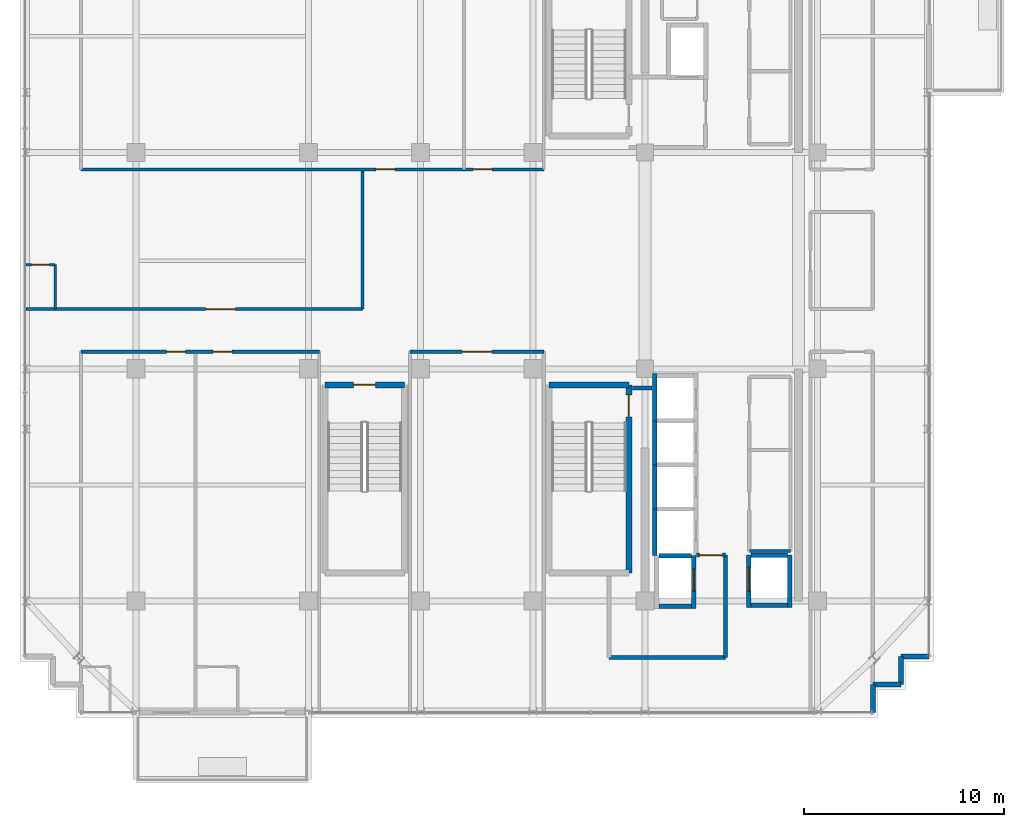
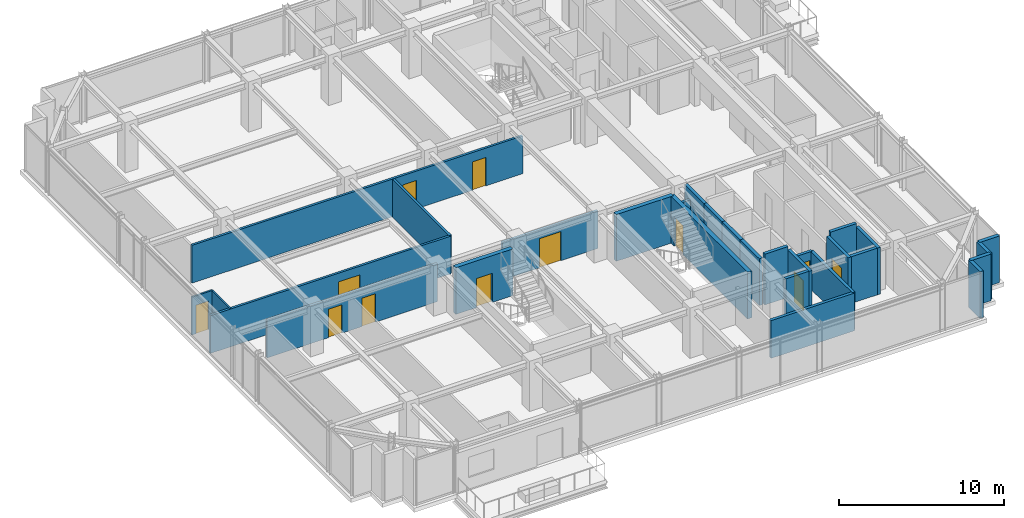
# One storey, part 27 of 33: 30 walls, 12 doors, 12 openings.
"""IFC4 building model written with IfcOpenShell, lengths in metres."""

from ifc_helpers import new_model, si_unit, direction, frame, frame_2d, origin, place, context, subcontext, project, spatial, rectangle, extrude, source, transform, mapped, material, layer, layer_set, type_object, element, fill, save


model = new_model("IFC4")

# Units and contexts
model_context = context("Model", 3, precision=1e-05, world=origin(), true_north=direction((0.0, 1.0)))
body_context = subcontext(model_context, "Body", "Model", "MODEL_VIEW")
ifc_project = project(units=[si_unit("LENGTHUNIT", "METRE"), si_unit("AREAUNIT", "SQUARE_METRE"), si_unit("VOLUMEUNIT", "CUBIC_METRE"), si_unit("PLANEANGLEUNIT", "RADIAN"), si_unit("MASSUNIT", "GRAM", prefix="KILO")], contexts=[model_context])

# Site, building, storey
site_placement = place(None, origin())
site = spatial("IfcSite", under=ifc_project, at=site_placement, CompositionType="ELEMENT")
building_placement = place(site_placement, origin())
building = spatial("IfcBuilding", under=site, at=building_placement, Name="Nahalor Promenade Grand Hotel", CompositionType="ELEMENT")
storey_placement = place(building_placement, frame((0.0, 0.0, 270.050048828125)))
storey = spatial("IfcBuildingStorey", under=building, at=storey_placement, Name="L69", CompositionType="ELEMENT", Elevation=270.050048828125)

# Wall
ifc_material_1 = material(Name="Concrete B-50 (C40/50)", Category="concrete")
ifc_layer_1 = layer(ifc_material_1, 0.300048828125)
ifc_layer_set_1 = layer_set([ifc_layer_1], Name="Concrete B-50 (C40/50)")
wall_type_1 = type_object("IfcWallType", Name="Wall-ShaftShear-300", PredefinedType="SHEAR", material=ifc_layer_set_1)
shared_shape_1 = source(origin(), body_context, "Body", "SweptSolid", [
    extrude(rectangle(XDim=3.97998046875, YDim=0.300048828125, at=frame_2d((1.989990234375, 0.0))), origin(), (0.0, 0.0, 1.0), 3.449951171875),
])
wall_1_placement = place(storey_placement, frame((3.610107421875, -6.2099609375, 0.0), z_axis=(0.0, 0.0, 1.0), x_axis=(1.0, 0.0, 0.0)))
element("IfcWall", 1, at=wall_1_placement, inside=storey, type_object=wall_type_1, Name="L69 Exit Stair ST2 Shaft Wall N", PredefinedType="SHEAR", context=body_context, shape_type="MappedRepresentation", body=[
    mapped(shared_shape_1, transform((0.0, 0.0, 0.0), scale=1.0)),
])

# Wall, opening, door
wall_2_placement = place(storey_placement, frame((-7.590087890625, -6.2099609375, 0.0), z_axis=(0.0, 0.0, 1.0), x_axis=(1.0, 0.0, 0.0)))
wall_2 = element("IfcWall", 2, at=wall_2_placement, inside=storey, type_object=wall_type_1, Name="L69 Exit Stair ST3 Shaft Wall N", PredefinedType="SHEAR", context=body_context, shape_type="MappedRepresentation", body=[
    mapped(shared_shape_1, transform((0.0, 0.0, 0.0), scale=1.0)),
])
opening_1_placement = place(wall_2_placement, frame((1.43994140625, 0.0, 0.0)))
opening_1 = element("IfcOpeningElement", 3, at=opening_1_placement, cuts=wall_2, Name="Opening D-ST1", PredefinedType="OPENING", context=body_context, shape_type="SweptSolid", body=[
    extrude(rectangle(XDim=1.10009765625, YDim=2.14990234375, at=frame_2d((0.550048828125, 1.074951171875))), frame((0.0, 0.159912109375, 0.0), z_axis=(0.0, -1.0, 0.0), x_axis=(1.0, 0.0, 0.0)), (0.0, 0.0, 1.0), 0.320068359375),
])
ifc_material_2 = material(Name="Steel S355JR", Category="steel")
door_type_1 = type_object("IfcDoorType", Name="Door-StairFire-1100", OperationType="NOTDEFINED", PredefinedType="DOOR", material=ifc_material_2)
shared_shape_2 = source(origin(), body_context, "Body", "SweptSolid", [
    extrude(rectangle(XDim=1.10009765625, YDim=2.14990234375, at=frame_2d((0.550048828125, 1.074951171875))), frame((0.0, 0.02490234375, 0.0), z_axis=(0.0, -1.0, 0.0), x_axis=(1.0, 0.0, 0.0)), (0.0, 0.0, 1.0), 0.050048828125),
])
door_1_placement = place(opening_1_placement, frame((1.10009765625, 0.0, 0.0), z_axis=(0.0, 0.0, 1.0), x_axis=(-1.0, 0.0, 0.0)))
door_1 = element("IfcDoor", 4, at=door_1_placement, inside=storey, type_object=door_type_1, Name="DR-STAIR-ST3-L69", OperationType="SINGLE_SWING_RIGHT", OverallHeight=2.14990234375, OverallWidth=1.10009765625, PredefinedType="DOOR", context=body_context, shape_type="MappedRepresentation", body=[
    mapped(shared_shape_2, transform((0.0, 0.0, 0.0), scale=1.0)),
])
fill(opening_1, door_1)

shared_shape_3 = source(origin(), body_context, "Body", "SweptSolid", [
    extrude(rectangle(XDim=9.380126953125, YDim=0.300048828125, at=frame_2d((4.68994140625, 0.0))), origin(), (0.0, 0.0, 1.0), 3.449951171875),
])
wall_3_placement = place(storey_placement, frame((7.590087890625, -15.590087890625, 0.0), z_axis=(0.0, 0.0, 1.0), x_axis=(0.0, 1.0, 0.0)))
wall_3 = element("IfcWall", 5, at=wall_3_placement, inside=storey, type_object=wall_type_1, Name="L69 Exit Stair ST2 Shaft Wall E", PredefinedType="SHEAR", context=body_context, shape_type="MappedRepresentation", body=[
    mapped(shared_shape_3, transform((0.0, 0.0, 0.0), scale=1.0)),
])
opening_2_placement = place(wall_3_placement, frame((7.7900390625, 0.0, 0.0)))
opening_2 = element("IfcOpeningElement", 6, at=opening_2_placement, cuts=wall_3, Name="Opening D-ST1", PredefinedType="OPENING", context=body_context, shape_type="SweptSolid", body=[
    extrude(rectangle(XDim=1.10009765625, YDim=2.14990234375, at=frame_2d((0.550048828125, 1.074951171875))), frame((0.0, 0.159912109375, 0.0), z_axis=(0.0, -1.0, 0.0), x_axis=(1.0, 0.0, 0.0)), (0.0, 0.0, 1.0), 0.320068359375),
])
door_2_placement = place(opening_2_placement, origin())
door_2 = element("IfcDoor", 7, at=door_2_placement, inside=storey, type_object=door_type_1, Name="DR-STAIR-ST2-L69", OperationType="SINGLE_SWING_RIGHT", OverallHeight=2.14990234375, OverallWidth=1.10009765625, PredefinedType="DOOR", context=body_context, shape_type="MappedRepresentation", body=[
    mapped(shared_shape_2, transform((0.0, 0.0, 0.0), scale=1.0)),
])
fill(opening_2, door_2)

# Walls
ifc_layer_2 = layer(ifc_material_1, 0.219970703125)
ifc_layer_set_2 = layer_set([ifc_layer_2], Name="Concrete B-50 (C40/50)")
wall_type_2 = type_object("IfcWallType", Name="Wall-LiftShaft-220", PredefinedType="SHEAR", material=ifc_layer_set_2)
shared_shape_4 = source(origin(), body_context, "Body", "SweptSolid", [
    extrude(rectangle(XDim=2.360107421875, YDim=0.219970703125, at=frame_2d((1.18017578125, 0.0))), origin(), (0.0, 0.0, 1.0), 3.449951171875),
])
wall_4_placement = place(storey_placement, frame((8.8798828125, -8.0, 0.0), z_axis=(0.0, 0.0, 1.0), x_axis=(0.0, 1.0, 0.0)))
element("IfcWall", 8, at=wall_4_placement, inside=storey, type_object=wall_type_2, Name="L69 Lift PL9 Hoistway Wall W", PredefinedType="SHEAR", context=body_context, shape_type="MappedRepresentation", body=[
    mapped(shared_shape_4, transform((0.0, 0.0, 0.0), scale=1.0)),
])
shared_shape_5 = source(origin(), body_context, "Body", "SweptSolid", [
    extrude(rectangle(XDim=1.820068359375, YDim=0.219970703125, at=frame_2d((0.91015625, 0.0))), origin(), (0.0, 0.0, 1.0), 3.449951171875),
])
wall_5_placement = place(storey_placement, frame((13.68994140625, -17.199951171875, 0.0), z_axis=(0.0, 0.0, 1.0), x_axis=(1.0, 0.0, 0.0)))
element("IfcWall", 9, at=wall_5_placement, inside=storey, type_object=wall_type_2, Name="L69 Lift SV2 Hoistway Wall S", PredefinedType="SHEAR", context=body_context, shape_type="MappedRepresentation", body=[
    mapped(shared_shape_5, transform((0.0, 0.0, 0.0), scale=1.0)),
])
shared_shape_6 = source(origin(), body_context, "Body", "SweptSolid", [
    extrude(rectangle(XDim=2.199951171875, YDim=0.219970703125, at=frame_2d((1.10009765625, 0.0))), origin(), (0.0, 0.0, 1.0), 3.449951171875),
])
for number, where, z_axis, x_axis, name in (
    (10, (8.8798828125, -10.199951171875, 0.0), (0.0, 0.0, 1.0), (0.0, 1.0, 0.0), "L69 Lift PL10 Hoistway Wall W"),
    (11, (8.8798828125, -12.39990234375, 0.0), (0.0, 0.0, 1.0), (0.0, 1.0, 0.0), "L69 Lift PL11 Hoistway Wall W"),
):
    element("IfcWall", number, at=place(storey_placement, frame(where, z_axis=z_axis, x_axis=x_axis)), inside=storey, type_object=wall_type_2, Name=name, PredefinedType="SHEAR", context=body_context, shape_type="MappedRepresentation", body=[
        mapped(shared_shape_6, transform((0.0, 0.0, 0.0), scale=1.0)),
    ])
shared_shape_7 = source(origin(), body_context, "Body", "SweptSolid", [
    extrude(rectangle(XDim=1.820068359375, YDim=0.219970703125, at=frame_2d((0.91015625, 0.0))), origin(), (0.0, 0.0, 1.0), 3.75),
])
wall_6_placement = place(storey_placement, frame((13.68994140625, -14.699951171875, 0.0), z_axis=(0.0, 0.0, 1.0), x_axis=(1.0, 0.0, 0.0)))
element("IfcWall", 12, at=wall_6_placement, inside=storey, type_object=wall_type_2, Name="L69 Lift SV2 Hoistway Wall N", PredefinedType="SHEAR", context=body_context, shape_type="MappedRepresentation", body=[
    mapped(shared_shape_7, transform((0.0, 0.0, 0.0), scale=1.0)),
])
shared_shape_8 = source(origin(), body_context, "Body", "SweptSolid", [
    extrude(rectangle(XDim=2.3251953125, YDim=0.219970703125, at=frame_2d((1.16259765625, 0.0))), origin(), (0.0, 0.0, 1.0), 3.449951171875),
])
wall_7_placement = place(storey_placement, frame((8.8798828125, -14.72509765625, 0.0), z_axis=(0.0, 0.0, 1.0), x_axis=(0.0, 1.0, 0.0)))
element("IfcWall", 13, at=wall_7_placement, inside=storey, type_object=wall_type_2, Name="L69 Lift PL12 Hoistway Wall W", PredefinedType="SHEAR", context=body_context, shape_type="MappedRepresentation", body=[
    mapped(shared_shape_8, transform((0.0, 0.0, 0.0), scale=1.0)),
])

# Wall, opening, door
shared_shape_9 = source(origin(), body_context, "Body", "SweptSolid", [
    extrude(rectangle(XDim=2.635009765625, YDim=0.219970703125, at=frame_2d((1.3173828125, 0.0))), origin(), (0.0, 0.0, 1.0), 3.449951171875),
])
wall_8_placement = place(storey_placement, frame((10.820068359375, -17.360107421875, 0.0), z_axis=(0.0, 0.0, 1.0), x_axis=(0.0, 1.0, 0.0)))
wall_8 = element("IfcWall", 14, at=wall_8_placement, inside=storey, type_object=wall_type_2, Name="L69 Lift FL2 Hoistway Wall E", PredefinedType="SHEAR", context=body_context, shape_type="MappedRepresentation", body=[
    mapped(shared_shape_9, transform((0.0, 0.0, 0.0), scale=1.0)),
])
opening_3_placement = place(wall_8_placement, frame((0.860107421875, 0.0, 0.0)))
opening_3 = element("IfcOpeningElement", 15, at=opening_3_placement, cuts=wall_8, Name="Opening LD-02", PredefinedType="OPENING", context=body_context, shape_type="SweptSolid", body=[
    extrude(rectangle(XDim=1.10009765625, YDim=2.199951171875, at=frame_2d((0.550048828125, 1.10009765625))), frame((0.0, 0.119873046875, 0.0), z_axis=(0.0, -1.0, 0.0), x_axis=(1.0, 0.0, 0.0)), (0.0, 0.0, 1.0), 0.239990234375),
])
door_type_2 = type_object("IfcDoorType", Name="Door-LiftFF-1100", OperationType="DOUBLE_DOOR_SLIDING", PredefinedType="DOOR", material=ifc_material_2)
shared_shape_10 = source(origin(), body_context, "Body", "SweptSolid", [
    extrude(rectangle(XDim=1.10009765625, YDim=2.199951171875, at=frame_2d((0.550048828125, 1.10009765625))), frame((0.0, 0.02490234375, 0.0), z_axis=(0.0, -1.0, 0.0), x_axis=(1.0, 0.0, 0.0)), (0.0, 0.0, 1.0), 0.050048828125),
])
door_3_placement = place(opening_3_placement, frame((1.10009765625, 0.0, 0.0), z_axis=(0.0, 0.0, 1.0), x_axis=(-1.0, 0.0, 0.0)))
door_3 = element("IfcDoor", 16, at=door_3_placement, inside=storey, type_object=door_type_2, Name="DR-LIFT-FL2-L69", OperationType="DOUBLE_DOOR_SLIDING", OverallHeight=2.199951171875, OverallWidth=1.10009765625, PredefinedType="DOOR", context=body_context, shape_type="MappedRepresentation", body=[
    mapped(shared_shape_10, transform((0.0, 0.0, 0.0), scale=1.0)),
])
fill(opening_3, door_3)

# Walls
shared_shape_11 = source(origin(), body_context, "Body", "SweptSolid", [
    extrude(rectangle(XDim=1.619873046875, YDim=0.219970703125, at=frame_2d((0.81005859375, 0.0))), origin(), (0.0, 0.0, 1.0), 3.449951171875),
])
wall_9_placement = place(storey_placement, frame((9.090087890625, -17.25, 0.0), z_axis=(0.0, 0.0, 1.0), x_axis=(1.0, 0.0, 0.0)))
element("IfcWall", 17, at=wall_9_placement, inside=storey, type_object=wall_type_2, Name="L69 Lift FL2 Hoistway Wall S", PredefinedType="SHEAR", context=body_context, shape_type="MappedRepresentation", body=[
    mapped(shared_shape_11, transform((0.0, 0.0, 0.0), scale=1.0)),
])
shared_shape_12 = source(origin(), body_context, "Body", "SweptSolid", [
    extrude(rectangle(XDim=1.619873046875, YDim=0.219970703125, at=frame_2d((0.81005859375, 0.0))), origin(), (0.0, 0.0, 1.0), 3.75),
])
wall_10_placement = place(storey_placement, frame((9.090087890625, -14.72509765625, 0.0), z_axis=(0.0, 0.0, 1.0), x_axis=(1.0, 0.0, 0.0)))
element("IfcWall", 18, at=wall_10_placement, inside=storey, type_object=wall_type_2, Name="L69 Lift FL2 Hoistway Wall N", PredefinedType="SHEAR", context=body_context, shape_type="MappedRepresentation", body=[
    mapped(shared_shape_12, transform((0.0, 0.0, 0.0), scale=1.0)),
])

# Wall, opening, door
shared_shape_13 = source(origin(), body_context, "Body", "SweptSolid", [
    extrude(rectangle(XDim=2.610107421875, YDim=0.219970703125, at=frame_2d((1.30517578125, 0.0))), origin(), (0.0, 0.0, 1.0), 3.449951171875),
])
wall_11_placement = place(storey_placement, frame((13.580078125, -17.31005859375, 0.0), z_axis=(0.0, 0.0, 1.0), x_axis=(0.0, 1.0, 0.0)))
wall_11 = element("IfcWall", 19, at=wall_11_placement, inside=storey, type_object=wall_type_2, Name="L69 Lift SV2 Hoistway Wall W", PredefinedType="SHEAR", context=body_context, shape_type="MappedRepresentation", body=[
    mapped(shared_shape_13, transform((0.0, 0.0, 0.0), scale=1.0)),
])
opening_4_placement = place(wall_11_placement, frame((0.81005859375, 0.0, 0.0)))
opening_4 = element("IfcOpeningElement", 20, at=opening_4_placement, cuts=wall_11, Name="Opening LD-03", PredefinedType="OPENING", context=body_context, shape_type="SweptSolid", body=[
    extrude(rectangle(XDim=1.199951171875, YDim=2.199951171875, at=frame_2d((0.60009765625, 1.10009765625))), frame((0.0, 0.119873046875, 0.0), z_axis=(0.0, -1.0, 0.0), x_axis=(1.0, 0.0, 0.0)), (0.0, 0.0, 1.0), 0.239990234375),
])
door_type_3 = type_object("IfcDoorType", Name="Door-LiftService-1200", OperationType="DOUBLE_DOOR_SLIDING", PredefinedType="DOOR", material=ifc_material_2)
shared_shape_14 = source(origin(), body_context, "Body", "SweptSolid", [
    extrude(rectangle(XDim=1.199951171875, YDim=2.199951171875, at=frame_2d((0.60009765625, 1.10009765625))), frame((0.0, 0.02490234375, 0.0), z_axis=(0.0, -1.0, 0.0), x_axis=(1.0, 0.0, 0.0)), (0.0, 0.0, 1.0), 0.050048828125),
])
door_4_placement = place(opening_4_placement, origin())
door_4 = element("IfcDoor", 21, at=door_4_placement, inside=storey, type_object=door_type_3, Name="DR-LIFT-SV2-L69", OperationType="DOUBLE_DOOR_SLIDING", OverallHeight=2.199951171875, OverallWidth=1.199951171875, PredefinedType="DOOR", context=body_context, shape_type="MappedRepresentation", body=[
    mapped(shared_shape_14, transform((0.0, 0.0, 0.0), scale=1.0)),
])
fill(opening_4, door_4)

# Walls
wall_12_placement = place(storey_placement, frame((15.6201171875, -17.31005859375, 0.0), z_axis=(0.0, 0.0, 1.0), x_axis=(0.0, 1.0, 0.0)))
element("IfcWall", 22, at=wall_12_placement, inside=storey, type_object=wall_type_2, Name="L69 Lift SV2 Hoistway Wall E", PredefinedType="SHEAR", context=body_context, shape_type="MappedRepresentation", body=[
    mapped(shared_shape_13, transform((0.0, 0.0, 0.0), scale=1.0)),
])
ifc_material_3 = material(Name="Concrete B-40 (C32/40)", Category="concrete")
ifc_layer_3 = layer(ifc_material_3, 0.25)
ifc_layer_set_3 = layer_set([ifc_layer_3], Name="Concrete B-40 (C32/40)")
wall_type_3 = type_object("IfcWallType", Name="Wall-BronzePier-250", PredefinedType="STANDARD", material=ifc_layer_set_3)
shared_shape_15 = source(origin(), body_context, "Body", "SweptSolid", [
    extrude(rectangle(XDim=1.400146484375, YDim=0.25, at=frame_2d((0.7001953125, 0.0))), origin(), (0.0, 0.0, 1.0), 3.449951171875),
])
for number, where, z_axis, x_axis, name in (
    (23, (19.760009765625, -22.56005859375, 0.0), (0.0, 0.0, 1.0), (0.0, 1.0, 0.0), "W-L69-SR-01"),
    (24, (21.159912109375, -19.760009765625, 0.0), (0.0, 0.0, 1.0), (1.0, 0.0, 0.0), "W-L69-SR-04"),
):
    element("IfcWall", number, at=place(storey_placement, frame(where, z_axis=z_axis, x_axis=x_axis)), inside=storey, type_object=wall_type_3, Name=name, PredefinedType="STANDARD", context=body_context, shape_type="MappedRepresentation", body=[
        mapped(shared_shape_15, transform((0.0, 0.0, 0.0), scale=1.0)),
    ])
shared_shape_16 = source(origin(), body_context, "Body", "SweptSolid", [
    extrude(rectangle(XDim=1.39990234375, YDim=0.25, at=frame_2d((0.699951171875, 0.0))), origin(), (0.0, 0.0, 1.0), 3.449951171875),
])
for number, where, z_axis, x_axis, name in (
    (25, (19.760009765625, -21.159912109375, 0.0), (0.0, 0.0, 1.0), (1.0, 0.0, 0.0), "W-L69-SR-02"),
    (26, (21.159912109375, -21.159912109375, 0.0), (0.0, 0.0, 1.0), (0.0, 1.0, 0.0), "W-L69-SR-03"),
):
    element("IfcWall", number, at=place(storey_placement, frame(where, z_axis=z_axis, x_axis=x_axis)), inside=storey, type_object=wall_type_3, Name=name, PredefinedType="STANDARD", context=body_context, shape_type="MappedRepresentation", body=[
        mapped(shared_shape_16, transform((0.0, 0.0, 0.0), scale=1.0)),
    ])
ifc_layer_4 = layer(ifc_material_3, 0.199951171875)
ifc_layer_set_4 = layer_set([ifc_layer_4], Name="Concrete B-40 (C32/40)")
wall_type_4 = type_object("IfcWallType", Name="Wall-PartFire-200", PredefinedType="PARTITIONING", material=ifc_layer_set_4)
shared_shape_17 = source(origin(), body_context, "Body", "SweptSolid", [
    extrude(rectangle(XDim=5.81982421875, YDim=0.199951171875, at=frame_2d((2.909912109375, 0.0))), origin(), (0.0, 0.0, 1.0), 2.7900390625),
])
wall_13_placement = place(storey_placement, frame((6.60009765625, -19.800048828125, 0.0), z_axis=(0.0, 0.0, 1.0), x_axis=(1.0, 0.0, 0.0)))
element("IfcWall", 27, at=wall_13_placement, inside=storey, type_object=wall_type_4, Name="W-L69-FF2-S1", PredefinedType="PARTITIONING", context=body_context, shape_type="MappedRepresentation", body=[
    mapped(shared_shape_17, transform((0.0, 0.0, 0.0), scale=1.0)),
])
shared_shape_18 = source(origin(), body_context, "Body", "SweptSolid", [
    extrude(rectangle(XDim=5.10009765625, YDim=0.199951171875, at=frame_2d((2.550048828125, 0.0))), origin(), (0.0, 0.0, 1.0), 2.7900390625),
])
wall_14_placement = place(storey_placement, frame((12.419921875, -19.800048828125, 0.0), z_axis=(0.0, 0.0, 1.0), x_axis=(0.0, 1.0, 0.0)))
element("IfcWall", 28, at=wall_14_placement, inside=storey, type_object=wall_type_4, Name="W-L69-FF2-E", PredefinedType="PARTITIONING", context=body_context, shape_type="MappedRepresentation", body=[
    mapped(shared_shape_18, transform((0.0, 0.0, 0.0), scale=1.0)),
])

# Wall, opening, door
shared_shape_19 = source(origin(), body_context, "Body", "SweptSolid", [
    extrude(rectangle(XDim=1.4599609375, YDim=0.199951171875, at=frame_2d((0.72998046875, 0.0))), origin(), (0.0, 0.0, 1.0), 2.7900390625),
])
wall_15_placement = place(storey_placement, frame((10.9599609375, -14.699951171875, 0.0), z_axis=(0.0, 0.0, 1.0), x_axis=(1.0, 0.0, 0.0)))
wall_15 = element("IfcWall", 29, at=wall_15_placement, inside=storey, type_object=wall_type_4, Name="W-L69-FF2-N1", PredefinedType="PARTITIONING", context=body_context, shape_type="MappedRepresentation", body=[
    mapped(shared_shape_19, transform((0.0, 0.0, 0.0), scale=1.0)),
])
opening_5_placement = place(wall_15_placement, frame((0.14501953125, 0.0, 0.0)))
opening_5 = element("IfcOpeningElement", 30, at=opening_5_placement, cuts=wall_15, Name="Opening D-FF1", PredefinedType="OPENING", context=body_context, shape_type="SweptSolid", body=[
    extrude(rectangle(XDim=1.14990234375, YDim=2.14990234375, at=frame_2d((0.574951171875, 1.074951171875))), frame((0.0, 0.10986328125, 0.0), z_axis=(0.0, -1.0, 0.0), x_axis=(1.0, 0.0, 0.0)), (0.0, 0.0, 1.0), 0.219970703125),
])
door_type_4 = type_object("IfcDoorType", Name="Door-FFLobby-1150", OperationType="NOTDEFINED", PredefinedType="DOOR", material=ifc_material_2)
shared_shape_20 = source(origin(), body_context, "Body", "SweptSolid", [
    extrude(rectangle(XDim=1.14990234375, YDim=2.14990234375, at=frame_2d((0.574951171875, 1.074951171875))), frame((0.0, 0.02490234375, 0.0), z_axis=(0.0, -1.0, 0.0), x_axis=(1.0, 0.0, 0.0)), (0.0, 0.0, 1.0), 0.050048828125),
])
door_5_placement = place(opening_5_placement, origin())
door_5 = element("IfcDoor", 31, at=door_5_placement, inside=storey, type_object=door_type_4, Name="DR-L69-FFL2", OperationType="SINGLE_SWING_LEFT", OverallHeight=2.14990234375, OverallWidth=1.14990234375, PredefinedType="DOOR", context=body_context, shape_type="MappedRepresentation", body=[
    mapped(shared_shape_20, transform((0.0, 0.0, 0.0), scale=1.0)),
])
fill(opening_5, door_5)

# Walls
shared_shape_21 = source(origin(), body_context, "Body", "SweptSolid", [
    extrude(rectangle(XDim=0.969970703125, YDim=0.199951171875, at=frame_2d((0.48486328125, 0.0))), origin(), (0.0, 0.0, 1.0), 2.7900390625),
])
wall_16_placement = place(storey_placement, frame((7.77001953125, -6.35009765625, 0.0), z_axis=(0.0, 0.0, 1.0), x_axis=(1.0, 0.0, 0.0)))
element("IfcWall", 32, at=wall_16_placement, inside=storey, type_object=wall_type_4, Name="W-L69-FF2-N2", PredefinedType="PARTITIONING", context=body_context, shape_type="MappedRepresentation", body=[
    mapped(shared_shape_21, transform((0.0, 0.0, 0.0), scale=1.0)),
])
ifc_material_4 = material(Name="Acoustic Mineral Gypsum", Category="gypsum")
ifc_layer_5 = layer(ifc_material_4, 0.159912109375)
ifc_layer_set_5 = layer_set([ifc_layer_5], Name="Acoustic Mineral Gypsum")
wall_type_5 = type_object("IfcWallType", Name="Wall-PartCorridor-160", PredefinedType="PARTITIONING", material=ifc_layer_set_5)
shared_shape_22 = source(origin(), body_context, "Body", "SweptSolid", [
    extrude(rectangle(XDim=2.0498046875, YDim=0.159912109375, at=frame_2d((1.02490234375, 0.0))), origin(), (0.0, 0.0, 1.0), 2.7900390625),
])
wall_17_placement = place(storey_placement, frame((13.60009765625, -14.5, 0.0), z_axis=(0.0, 0.0, 1.0), x_axis=(1.0, 0.0, 0.0)))
element("IfcWall", 33, at=wall_17_placement, inside=storey, type_object=wall_type_5, Name="W-L69-FRB2A-S", PredefinedType="PARTITIONING", context=body_context, shape_type="MappedRepresentation", body=[
    mapped(shared_shape_22, transform((0.0, 0.0, 0.0), scale=1.0)),
])

# Wall, openings, doors
shared_shape_23 = source(origin(), body_context, "Body", "SweptSolid", [
    extrude(rectangle(XDim=23.10009765625, YDim=0.159912109375, at=frame_2d((11.550048828125, 0.0))), origin(), (0.0, 0.0, 1.0), 2.7900390625),
])
wall_18_placement = place(storey_placement, frame((-19.760009765625, 4.550048828125, 0.0), z_axis=(0.0, 0.0, 1.0), x_axis=(1.0, 0.0, 0.0)))
wall_18 = element("IfcWall", 34, at=wall_18_placement, inside=storey, type_object=wall_type_5, Name="W-L69-CORR-N", PredefinedType="PARTITIONING", context=body_context, shape_type="MappedRepresentation", body=[
    mapped(shared_shape_23, transform((0.0, 0.0, 0.0), scale=1.0)),
])
opening_6_placement = place(wall_18_placement, frame((14.72802734375, 0.0, 0.0)))
opening_6 = element("IfcOpeningElement", 35, at=opening_6_placement, cuts=wall_18, Name="Opening D-01", PredefinedType="OPENING", context=body_context, shape_type="SweptSolid", body=[
    extrude(rectangle(XDim=0.949951171875, YDim=2.10009765625, at=frame_2d((0.47509765625, 1.050048828125))), frame((0.0, 0.08984375, 0.0), z_axis=(0.0, -1.0, 0.0), x_axis=(1.0, 0.0, 0.0)), (0.0, 0.0, 1.0), 0.179931640625),
])
opening_7_placement = place(wall_18_placement, frame((19.569091796875, 0.0, 0.0)))
opening_7 = element("IfcOpeningElement", 36, at=opening_7_placement, cuts=wall_18, Name="Opening D-01", PredefinedType="OPENING", context=body_context, shape_type="SweptSolid", body=[
    extrude(rectangle(XDim=0.949951171875, YDim=2.10009765625, at=frame_2d((0.47509765625, 1.050048828125))), frame((0.0, 0.08984375, 0.0), z_axis=(0.0, -1.0, 0.0), x_axis=(1.0, 0.0, 0.0)), (0.0, 0.0, 1.0), 0.179931640625),
])
ifc_material_5 = material(Name="Fire-Rated Timber Composite", Category="wood")
door_type_5 = type_object("IfcDoorType", Name="Door-GuestEntry-950", OperationType="NOTDEFINED", PredefinedType="DOOR", material=ifc_material_5)
shared_shape_24 = source(origin(), body_context, "Body", "SweptSolid", [
    extrude(rectangle(XDim=0.949951171875, YDim=2.10009765625, at=frame_2d((0.47509765625, 1.050048828125))), frame((0.0, 0.02490234375, 0.0), z_axis=(0.0, -1.0, 0.0), x_axis=(1.0, 0.0, 0.0)), (0.0, 0.0, 1.0), 0.050048828125),
])
door_6_placement = place(opening_6_placement, origin())
door_6 = element("IfcDoor", 37, at=door_6_placement, inside=storey, type_object=door_type_5, Name="DR-L69-N1-ENT", OperationType="SINGLE_SWING_RIGHT", OverallHeight=2.10009765625, OverallWidth=0.949951171875, PredefinedType="DOOR", context=body_context, shape_type="MappedRepresentation", body=[
    mapped(shared_shape_24, transform((0.0, 0.0, 0.0), scale=1.0)),
])
fill(opening_6, door_6)
door_7_placement = place(opening_7_placement, origin())
door_7 = element("IfcDoor", 38, at=door_7_placement, inside=storey, type_object=door_type_5, Name="DR-L69-N2-ENT", OperationType="SINGLE_SWING_RIGHT", OverallHeight=2.10009765625, OverallWidth=0.949951171875, PredefinedType="DOOR", context=body_context, shape_type="MappedRepresentation", body=[
    mapped(shared_shape_24, transform((0.0, 0.0, 0.0), scale=1.0)),
])
fill(opening_7, door_7)

# Wall, opening, door
ifc_layer_6 = layer(ifc_material_4, 0.1201171875)
ifc_layer_set_6 = layer_set([ifc_layer_6], Name="Acoustic Mineral Gypsum")
wall_type_6 = type_object("IfcWallType", Name="Wall-PartBath-120", PredefinedType="PARTITIONING", material=ifc_layer_set_6)
shared_shape_25 = source(origin(), body_context, "Body", "SweptSolid", [
    extrude(rectangle(XDim=1.449951171875, YDim=0.1201171875, at=frame_2d((0.72509765625, 0.0))), origin(), (0.0, 0.0, 1.0), 2.7900390625),
])
wall_19_placement = place(storey_placement, frame((-22.5, -0.199951171875, 0.0), z_axis=(0.0, 0.0, 1.0), x_axis=(1.0, 0.0, 0.0)))
wall_19 = element("IfcWall", 39, at=wall_19_placement, inside=storey, type_object=wall_type_6, Name="W-L69-W1-BH", PredefinedType="PARTITIONING", context=body_context, shape_type="MappedRepresentation", body=[
    mapped(shared_shape_25, transform((0.0, 0.0, 0.0), scale=1.0)),
])
opening_8_placement = place(wall_19_placement, frame((0.284912109375, 0.0, 0.0)))
opening_8 = element("IfcOpeningElement", 40, at=opening_8_placement, cuts=wall_19, Name="Opening D-03", PredefinedType="OPENING", context=body_context, shape_type="SweptSolid", body=[
    extrude(rectangle(XDim=0.8798828125, YDim=2.10009765625, at=frame_2d((0.43994140625, 1.050048828125))), frame((0.0, 0.070068359375, 0.0), z_axis=(0.0, -1.0, 0.0), x_axis=(1.0, 0.0, 0.0)), (0.0, 0.0, 1.0), 0.14013671875),
])
door_type_6 = type_object("IfcDoorType", Name="Door-BathSwing-880", OperationType="NOTDEFINED", PredefinedType="DOOR", material=ifc_material_5)
shared_shape_26 = source(origin(), body_context, "Body", "SweptSolid", [
    extrude(rectangle(XDim=0.8798828125, YDim=2.10009765625, at=frame_2d((0.43994140625, 1.050048828125))), frame((0.0, 0.02490234375, 0.0), z_axis=(0.0, -1.0, 0.0), x_axis=(1.0, 0.0, 0.0)), (0.0, 0.0, 1.0), 0.050048828125),
])
door_8_placement = place(opening_8_placement, frame((0.8798828125, 0.0, 0.0), z_axis=(0.0, 0.0, 1.0), x_axis=(-1.0, 0.0, 0.0)))
door_8 = element("IfcDoor", 41, at=door_8_placement, inside=storey, type_object=door_type_6, Name="DR-L69-W1-BATH", OperationType="SINGLE_SWING_LEFT", OverallHeight=2.10009765625, OverallWidth=0.8798828125, PredefinedType="DOOR", context=body_context, shape_type="MappedRepresentation", body=[
    mapped(shared_shape_26, transform((0.0, 0.0, 0.0), scale=1.0)),
])
fill(opening_8, door_8)

# Wall
shared_shape_27 = source(origin(), body_context, "Body", "SweptSolid", [
    extrude(rectangle(XDim=2.219970703125, YDim=0.1201171875, at=frame_2d((1.10986328125, 0.0))), origin(), (0.0, 0.0, 1.0), 2.7900390625),
])
wall_20_placement = place(storey_placement, frame((-21.050048828125, -2.419921875, 0.0), z_axis=(0.0, 0.0, 1.0), x_axis=(0.0, 1.0, 0.0)))
element("IfcWall", 42, at=wall_20_placement, inside=storey, type_object=wall_type_6, Name="W-L69-W1-BV", PredefinedType="PARTITIONING", context=body_context, shape_type="MappedRepresentation", body=[
    mapped(shared_shape_27, transform((0.0, 0.0, 0.0), scale=1.0)),
])

# Wall, openings, doors
shared_shape_28 = source(origin(), body_context, "Body", "SweptSolid", [
    extrude(rectangle(XDim=11.89990234375, YDim=0.159912109375, at=frame_2d((5.949951171875, 0.0))), origin(), (0.0, 0.0, 1.0), 2.7900390625),
])
wall_21_placement = place(storey_placement, frame((-19.760009765625, -4.550048828125, 0.0), z_axis=(0.0, 0.0, 1.0), x_axis=(1.0, 0.0, 0.0)))
wall_21 = element("IfcWall", 43, at=wall_21_placement, inside=storey, type_object=wall_type_5, Name="W-L69-CORR-S", PredefinedType="PARTITIONING", context=body_context, shape_type="MappedRepresentation", body=[
    mapped(shared_shape_28, transform((0.0, 0.0, 0.0), scale=1.0)),
])
opening_9_placement = place(wall_21_placement, frame((4.27099609375, 0.0, 0.0)))
opening_9 = element("IfcOpeningElement", 44, at=opening_9_placement, cuts=wall_21, Name="Opening D-01", PredefinedType="OPENING", context=body_context, shape_type="SweptSolid", body=[
    extrude(rectangle(XDim=0.949951171875, YDim=2.10009765625, at=frame_2d((0.47509765625, 1.050048828125))), frame((0.0, 0.08984375, 0.0), z_axis=(0.0, -1.0, 0.0), x_axis=(1.0, 0.0, 0.0)), (0.0, 0.0, 1.0), 0.179931640625),
])
opening_10_placement = place(wall_21_placement, frame((6.597900390625, 0.0, 0.0)))
opening_10 = element("IfcOpeningElement", 45, at=opening_10_placement, cuts=wall_21, Name="Opening D-01", PredefinedType="OPENING", context=body_context, shape_type="SweptSolid", body=[
    extrude(rectangle(XDim=0.949951171875, YDim=2.10009765625, at=frame_2d((0.47509765625, 1.050048828125))), frame((0.0, 0.08984375, 0.0), z_axis=(0.0, -1.0, 0.0), x_axis=(1.0, 0.0, 0.0)), (0.0, 0.0, 1.0), 0.179931640625),
])
door_9_placement = place(opening_9_placement, frame((0.949951171875, 0.0, 0.0), z_axis=(0.0, 0.0, 1.0), x_axis=(-1.0, 0.0, 0.0)))
door_9 = element("IfcDoor", 46, at=door_9_placement, inside=storey, type_object=door_type_5, Name="DR-L69-S1-ENT", OperationType="SINGLE_SWING_RIGHT", OverallHeight=2.10009765625, OverallWidth=0.949951171875, PredefinedType="DOOR", context=body_context, shape_type="MappedRepresentation", body=[
    mapped(shared_shape_24, transform((0.0, 0.0, 0.0), scale=1.0)),
])
fill(opening_9, door_9)
door_10_placement = place(opening_10_placement, frame((0.949951171875, 0.0, 0.0), z_axis=(0.0, 0.0, 1.0), x_axis=(-1.0, 0.0, 0.0)))
door_10 = element("IfcDoor", 47, at=door_10_placement, inside=storey, type_object=door_type_5, Name="DR-L69-S2-ENT", OperationType="SINGLE_SWING_RIGHT", OverallHeight=2.10009765625, OverallWidth=0.949951171875, PredefinedType="DOOR", context=body_context, shape_type="MappedRepresentation", body=[
    mapped(shared_shape_24, transform((0.0, 0.0, 0.0), scale=1.0)),
])
fill(opening_10, door_10)

# Wall, opening, door
shared_shape_29 = source(origin(), body_context, "Body", "SweptSolid", [
    extrude(rectangle(XDim=6.68017578125, YDim=0.159912109375, at=frame_2d((3.340087890625, 0.0))), origin(), (0.0, 0.0, 1.0), 2.7900390625),
])
wall_22_placement = place(storey_placement, frame((-3.340087890625, -4.550048828125, 0.0), z_axis=(0.0, 0.0, 1.0), x_axis=(1.0, 0.0, 0.0)))
wall_22 = element("IfcWall", 48, at=wall_22_placement, inside=storey, type_object=wall_type_5, Name="W-L69-SCB-N", PredefinedType="PARTITIONING", context=body_context, shape_type="MappedRepresentation", body=[
    mapped(shared_shape_29, transform((0.0, 0.0, 0.0), scale=1.0)),
])
opening_11_placement = place(wall_22_placement, frame((2.590087890625, 0.0, 0.0)))
opening_11 = element("IfcOpeningElement", 49, at=opening_11_placement, cuts=wall_22, Name="Opening D-02", PredefinedType="OPENING", context=body_context, shape_type="SweptSolid", body=[
    extrude(rectangle(XDim=1.5, YDim=2.14990234375, at=frame_2d((0.75, 1.074951171875))), frame((0.0, 0.08984375, 0.0), z_axis=(0.0, -1.0, 0.0), x_axis=(1.0, 0.0, 0.0)), (0.0, 0.0, 1.0), 0.179931640625),
])
door_type_7 = type_object("IfcDoorType", Name="Door-SuiteDouble-1500", OperationType="DOUBLE_DOOR_SINGLE_SWING", PredefinedType="DOOR", material=ifc_material_5)
shared_shape_30 = source(origin(), body_context, "Body", "SweptSolid", [
    extrude(rectangle(XDim=1.5, YDim=2.14990234375, at=frame_2d((0.75, 1.074951171875))), frame((0.0, 0.02490234375, 0.0), z_axis=(0.0, -1.0, 0.0), x_axis=(1.0, 0.0, 0.0)), (0.0, 0.0, 1.0), 0.050048828125),
])
door_11_placement = place(opening_11_placement, frame((1.5, 0.0, 0.0), z_axis=(0.0, 0.0, 1.0), x_axis=(-1.0, 0.0, 0.0)))
door_11 = element("IfcDoor", 50, at=door_11_placement, inside=storey, type_object=door_type_7, Name="DR-L69-SCB", OperationType="DOUBLE_DOOR_SINGLE_SWING", OverallHeight=2.14990234375, OverallWidth=1.5, PredefinedType="DOOR", context=body_context, shape_type="MappedRepresentation", body=[
    mapped(shared_shape_30, transform((0.0, 0.0, 0.0), scale=1.0)),
])
fill(opening_11, door_11)

shared_shape_31 = source(origin(), body_context, "Body", "SweptSolid", [
    extrude(rectangle(XDim=16.800048828125, YDim=0.159912109375, at=frame_2d((8.39990234375, 0.0))), origin(), (0.0, 0.0, 1.0), 2.7900390625),
])
wall_23_placement = place(storey_placement, frame((-22.5, -2.419921875, 0.0), z_axis=(0.0, 0.0, 1.0), x_axis=(1.0, 0.0, 0.0)))
wall_23 = element("IfcWall", 51, at=wall_23_placement, inside=storey, type_object=wall_type_5, Name="W-L69-WEST-S", PredefinedType="PARTITIONING", context=body_context, shape_type="MappedRepresentation", body=[
    mapped(shared_shape_31, transform((0.0, 0.0, 0.0), scale=1.0)),
])
opening_12_placement = place(wall_23_placement, frame((8.9580078125, 0.0, 0.0)))
opening_12 = element("IfcOpeningElement", 52, at=opening_12_placement, cuts=wall_23, Name="Opening D-02", PredefinedType="OPENING", context=body_context, shape_type="SweptSolid", body=[
    extrude(rectangle(XDim=1.5, YDim=2.14990234375, at=frame_2d((0.75, 1.074951171875))), frame((0.0, 0.08984375, 0.0), z_axis=(0.0, -1.0, 0.0), x_axis=(1.0, 0.0, 0.0)), (0.0, 0.0, 1.0), 0.179931640625),
])
door_12_placement = place(opening_12_placement, frame((1.5, 0.0, 0.0), z_axis=(0.0, 0.0, 1.0), x_axis=(-1.0, 0.0, 0.0)))
door_12 = element("IfcDoor", 53, at=door_12_placement, inside=storey, type_object=door_type_7, Name="DR-L69-W1-ENT", OperationType="DOUBLE_DOOR_SINGLE_SWING", OverallHeight=2.14990234375, OverallWidth=1.5, PredefinedType="DOOR", context=body_context, shape_type="MappedRepresentation", body=[
    mapped(shared_shape_30, transform((0.0, 0.0, 0.0), scale=1.0)),
])
fill(opening_12, door_12)

# Wall
shared_shape_32 = source(origin(), body_context, "Body", "SweptSolid", [
    extrude(rectangle(XDim=6.8798828125, YDim=0.159912109375, at=frame_2d((3.43994140625, 0.0))), origin(), (0.0, 0.0, 1.0), 2.7900390625),
])
wall_24_placement = place(storey_placement, frame((-5.699951171875, -2.419921875, 0.0), z_axis=(0.0, 0.0, 1.0), x_axis=(0.0, 1.0, 0.0)))
element("IfcWall", 54, at=wall_24_placement, inside=storey, type_object=wall_type_5, Name="W-L69-WEST-E", PredefinedType="PARTITIONING", context=body_context, shape_type="MappedRepresentation", body=[
    mapped(shared_shape_32, transform((0.0, 0.0, 0.0), scale=1.0)),
])

save(model, "model.ifc")
